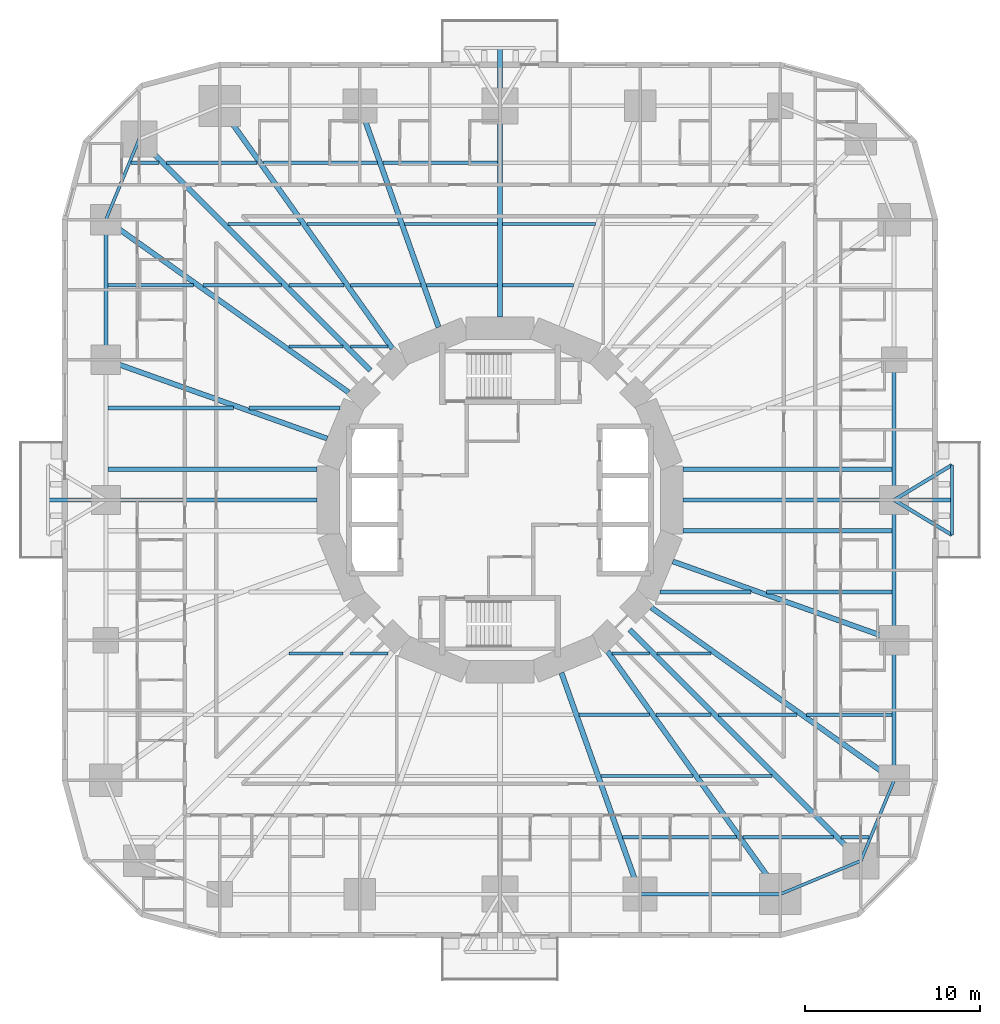
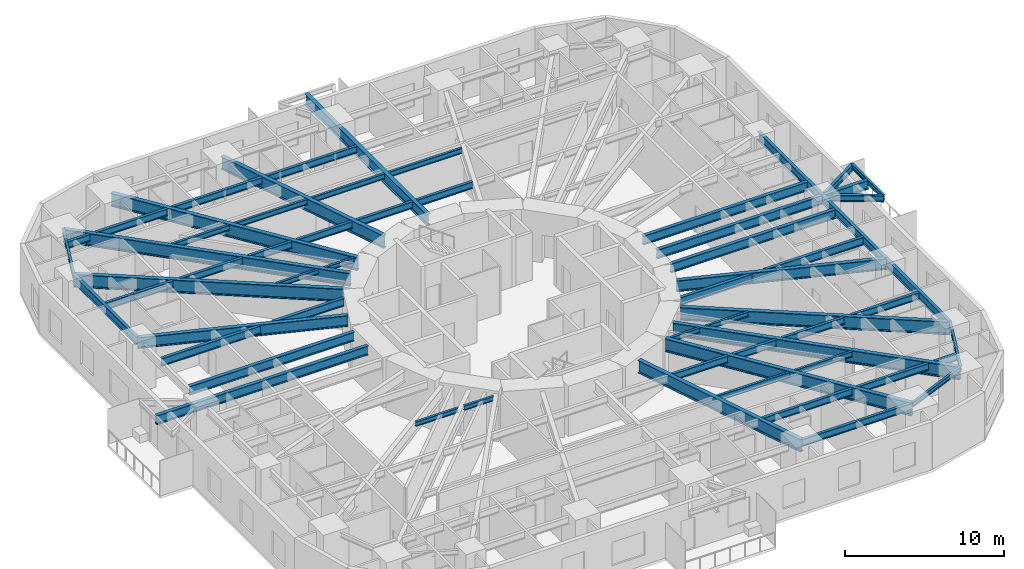
# One storey, part 2 of 14: 60 beams.
"""IFC4 building model written with IfcOpenShell, lengths in metres."""

import ifcopenshell
import ifcopenshell.guid

model = None  # the IFC model being written
_history = None  # IfcOwnerHistory: only IFC2X3 demands one
_inside = {}  # id of a spatial element -> (the spatial element, [elements in it])
_under = {}  # id of a project, library or spatial element -> (it, [spatial elements below it])
_declared = {}  # id of a project -> (the project, [libraries it declares])
_typed = {}  # id of a type object -> (the type object, [elements of that type])
_made_of = {}  # id of a material, layer set ... -> (it, [elements and type objects made of it])


def new_model(schema):
    """Start an empty IFC model of exactly this schema.

    Asked for "IFC4X3", IfcOpenShell would pick the latest addendum, in which some entities
    have other attributes; the version numbers below select the first issue.
    IFC2X3 requires an IfcOwnerHistory on every rooted entity: one is made here for all.
    """
    global model, _history
    if schema == "IFC4X3":
        model = ifcopenshell.file(schema_version=(4, 3, 0, 0))
    else:
        model = ifcopenshell.file(schema=schema)
    _inside.clear()
    _under.clear()
    _declared.clear()
    _typed.clear()
    _made_of.clear()
    _history = None
    if model.schema == "IFC2X3":
        org = make("IfcOrganization", Name="unknown")
        user = make(
            "IfcPersonAndOrganization",
            ThePerson=make("IfcPerson", FamilyName="unknown"),
            TheOrganization=org,
        )
        app = make(
            "IfcApplication",
            ApplicationDeveloper=org,
            Version="unknown",
            ApplicationFullName="unknown",
            ApplicationIdentifier="unknown",
        )
        _history = make(
            "IfcOwnerHistory",
            OwningUser=user,
            OwningApplication=app,
            ChangeAction="ADDED",
            CreationDate=0,
        )
    return model


def make(cls, **values):
    """One entity of the class cls with the attributes given. An attribute that is None is left unset."""
    return model.create_entity(
        cls, **{name: value for name, value in values.items() if value is not None}
    )


def rooted(cls, **values):
    """An entity with a GlobalId (a new one), such as an element, a storey or a relation."""
    return make(cls, GlobalId=ifcopenshell.guid.new(), OwnerHistory=_history, **values)


def si_unit(unit_type, name, prefix=None):
    """IfcSIUnit, for example si_unit("LENGTHUNIT", "METRE", prefix="MILLI")."""
    return make("IfcSIUnit", UnitType=unit_type, Prefix=prefix, Name=name)


def assignment(units):
    """IfcUnitAssignment: the units of a project."""
    return None if units is None else make("IfcUnitAssignment", Units=units)


def point(xyz):
    """IfcCartesianPoint."""
    return None if xyz is None else make("IfcCartesianPoint", Coordinates=xyz)


def direction(xyz):
    """IfcDirection."""
    return None if xyz is None else make("IfcDirection", DirectionRatios=xyz)


def frame(location, z_axis=None, x_axis=None):
    """IfcAxis2Placement3D, a coordinate frame: its origin and axes. An axis left out is left unset."""
    return make(
        "IfcAxis2Placement3D",
        Location=point(location),
        Axis=direction(z_axis),
        RefDirection=direction(x_axis),
    )


def frame_2d(location, x_axis=None):
    """IfcAxis2Placement2D, a coordinate frame in the plane: its origin and x axis."""
    return make(
        "IfcAxis2Placement2D", Location=point(location), RefDirection=direction(x_axis)
    )


def origin():
    """The frame at (0, 0, 0) with its axes left unset."""
    return frame((0.0, 0.0, 0.0))


def origin_2d():
    """The frame at (0, 0) in the plane with its x axis left unset."""
    return frame_2d((0.0, 0.0))


def place(relative_to, where):
    """IfcLocalPlacement: puts the frame where relative to a parent placement (None: the world)."""
    return make(
        "IfcLocalPlacement", PlacementRelTo=relative_to, RelativePlacement=where
    )


def context(
    kind, dimensions, precision=None, world=None, true_north=None, identifier=None
):
    """IfcGeometricRepresentationContext, for example the 3D "Model" context."""
    return make(
        "IfcGeometricRepresentationContext",
        ContextIdentifier=identifier,
        ContextType=kind,
        CoordinateSpaceDimension=dimensions,
        Precision=precision,
        WorldCoordinateSystem=world,
        TrueNorth=true_north,
    )


def subcontext(parent, identifier, kind, view, scale=None):
    """IfcGeometricRepresentationSubContext, for example "Body" below "Model"."""
    return make(
        "IfcGeometricRepresentationSubContext",
        ContextIdentifier=identifier,
        ContextType=kind,
        ParentContext=parent,
        TargetScale=scale,
        TargetView=view,
    )


def project(units=None, contexts=None):
    """IfcProject with its units and contexts."""
    return rooted(
        "IfcProject",
        Name="project",
        RepresentationContexts=contexts,
        UnitsInContext=assignment(units),
    )


def spatial(cls, under=None, at=None, **own):
    """A site, building, storey or space (cls), placed at a placement, below another one or the project."""
    s = rooted(cls, ObjectPlacement=at, **own)
    if under is not None:
        _under.setdefault(under.id(), (under, []))[1].append(s)
    return s


def profile(cls, at=None, kind="AREA", **sizes):
    """A parametric profile (cls). Its sizes go by their IFC names, for example OverallWidth=200.0."""
    return make(cls, ProfileType=kind, Position=at, **sizes)


def i_section(**sizes):
    """IfcIShapeProfileDef."""
    return profile("IfcIShapeProfileDef", **sizes)


def extrude(swept, where, along, depth):
    """IfcExtrudedAreaSolid: the profile swept, set in the frame where, extruded along a direction by depth."""
    return make(
        "IfcExtrudedAreaSolid",
        SweptArea=swept,
        Position=where,
        ExtrudedDirection=direction(along),
        Depth=depth,
    )


def shape(context_of_items, identifier, shape_type, items):
    """IfcShapeRepresentation: the items that make up one representation, for example the "Body"."""
    return make(
        "IfcShapeRepresentation",
        ContextOfItems=context_of_items,
        RepresentationIdentifier=identifier,
        RepresentationType=shape_type,
        Items=items,
    )


def material(Name=None, Category=None):
    """IfcMaterial."""
    return make("IfcMaterial", Name=Name, Category=Category)


def material_profile(
    of_material, cross_section, Name=None, Category=None, Priority=None
):
    """IfcMaterialProfile: a cross section and its material."""
    return make(
        "IfcMaterialProfile",
        Name=Name,
        Material=of_material,
        Profile=cross_section,
        Priority=Priority,
        Category=Category,
    )


def profile_set(profiles, Name=None, composite=None):
    """IfcMaterialProfileSet."""
    return make(
        "IfcMaterialProfileSet",
        Name=Name,
        MaterialProfiles=profiles,
        CompositeProfile=composite,
    )


def made_of(thing, what):
    """Note that an element or type object is made of a material, layer set ...; save() writes the relation."""
    if what is not None:
        _made_of.setdefault(what.id(), (what, []))[1].append(thing)
    return thing


def type_object(cls, material=None, **own):
    """A type object (cls), such as IfcWallType, which elements share."""
    return made_of(rooted(cls, **own), material)


def element(
    cls,
    number,
    at=None,
    inside=None,
    cuts=None,
    type_object=None,
    material=None,
    context=None,
    identifier="Body",
    shape_type=None,
    held_by="IfcProductDefinitionShape",
    body=None,
    shapes=None,
    **own,
):
    """One element of the class cls, such as IfcWall. Its Tag is "e" and its number.

    at: its placement. inside: the storey or other place that contains it. cuts: it is an
    opening in that element (IfcRelVoidsElement). A single representation is given by context,
    identifier, shape_type and body (its items); several are given by shapes. held_by: the class
    of the entity that holds the representations. save() writes the other relations.
    """
    e = rooted(cls, Tag="e%d" % number, ObjectPlacement=at, **own)
    if body is not None:
        shapes = [shape(context, identifier, shape_type, body)]
    if shapes is not None:
        e.Representation = make(held_by, Representations=shapes)
    if inside is not None:
        _inside.setdefault(inside.id(), (inside, []))[1].append(e)
    if cuts is not None:
        rooted(
            "IfcRelVoidsElement", RelatingBuildingElement=cuts, RelatedOpeningElement=e
        )
    if type_object is not None:
        _typed.setdefault(type_object.id(), (type_object, []))[1].append(e)
    return made_of(e, material)


def aggregate(whole, parts):
    """IfcRelAggregates: a whole, such as a stair, and the parts it consists of."""
    return rooted("IfcRelAggregates", RelatingObject=whole, RelatedObjects=parts)


def save(model, path):
    """Write the relations noted so far, then the file.

    IfcRelAggregates (storeys below a building ...), IfcRelContainedInSpatialStructure (elements
    in a storey), IfcRelDefinesByType, IfcRelAssociatesMaterial and IfcRelDeclares: one each for
    every whole, place, type object, material and project.
    """
    for whole, parts in _under.values():
        aggregate(whole, parts)
    for where, things in _inside.values():
        rooted(
            "IfcRelContainedInSpatialStructure",
            RelatedElements=things,
            RelatingStructure=where,
        )
    for kind, things in _typed.values():
        rooted("IfcRelDefinesByType", RelatedObjects=things, RelatingType=kind)
    for what, things in _made_of.values():
        rooted("IfcRelAssociatesMaterial", RelatedObjects=things, RelatingMaterial=what)
    for by, libraries in _declared.values():
        rooted("IfcRelDeclares", RelatingContext=by, RelatedDefinitions=libraries)
    model.write(path)


model = new_model("IFC4")

# Units and contexts
model_context = context("Model", 3, precision=1e-05, world=origin(), true_north=direction((0.0, 1.0)))
body_context = subcontext(model_context, "Body", "Model", "MODEL_VIEW")
ifc_project = project(units=[si_unit("LENGTHUNIT", "METRE"), si_unit("AREAUNIT", "SQUARE_METRE"), si_unit("VOLUMEUNIT", "CUBIC_METRE"), si_unit("PLANEANGLEUNIT", "RADIAN"), si_unit("MASSUNIT", "GRAM", prefix="KILO")], contexts=[model_context])

# Site, building, storey
site_placement = place(None, origin())
site = spatial("IfcSite", under=ifc_project, at=site_placement, CompositionType="ELEMENT")
building_placement = place(site_placement, origin())
building = spatial("IfcBuilding", under=site, at=building_placement, Name="Nakasero Lantern House", CompositionType="ELEMENT")
storey_placement = place(building_placement, frame((0.0, 0.0, 42.949951171875)))
storey = spatial("IfcBuildingStorey", under=building, at=storey_placement, Name="L10", CompositionType="ELEMENT", Elevation=42.949951171875)

# Beams
ifc_material_1 = material(Name="Steel S355", Category="steel")
ifc_material_profile_1 = material_profile(ifc_material_1, i_section(OverallWidth=0.199462890625, OverallDepth=0.491943359375, WebThickness=0.01806640625, FlangeThickness=0.031982421875, FilletRadius=0.01025390625, at=origin_2d()), Name="UB 457x191x161")
ifc_profile_set_1 = profile_set([ifc_material_profile_1], Name="Steel S355")
beam_type_1 = type_object("IfcBeamType", Name="Balcony splay beam UB 457x191x161", PredefinedType="BEAM", material=ifc_profile_set_1)
for number, where, z_axis, x_axis, name in (
    (1, (22.5, 0.0, 3.404052734375), (0.855201230787, 0.518296107317, 0.0), (-0.518296107317, 0.855201230787, 0.0), "Balcony splay beam L11 B1-C03A"),
    (2, (22.5, 0.0, 3.404052734375), (0.855201230787, -0.518296107317, 0.0), (0.518296107317, 0.855201230787, 0.0), "Balcony splay beam L11 B1-C03B"),
):
    element("IfcBeam", number, at=place(storey_placement, frame(where, z_axis=z_axis, x_axis=x_axis)), inside=storey, type_object=beam_type_1, Name=name, PredefinedType="BEAM", context=body_context, shape_type="SweptSolid", body=[
        extrude(i_section(OverallWidth=0.199462890625, OverallDepth=0.491943359375, WebThickness=0.01806640625, FlangeThickness=0.031982421875, FilletRadius=0.01025390625, at=origin_2d()), origin(), (0.0, 0.0, 1.0), 3.85888671875),
    ])
ifc_material_2 = material(Name="Steel S355", Category="steel")
ifc_material_profile_2 = material_profile(ifc_material_2, i_section(OverallWidth=0.17138671875, OverallDepth=0.35498046875, WebThickness=0.00732421875, FlangeThickness=0.011474609375, FilletRadius=0.01025390625, at=origin_2d()), Name="UB 356x171x51")
ifc_profile_set_2 = profile_set([ifc_material_profile_2], Name="Steel S355")
beam_type_2 = type_object("IfcBeamType", Name="Balcony tie beam UB 356x171x51", PredefinedType="BEAM", material=ifc_profile_set_2)
beam_1_placement = place(storey_placement, frame((25.800048828125, 2.0, 3.47265625), z_axis=(0.0, -1.0, 0.0), x_axis=(1.0, 0.0, 0.0)))
element("IfcBeam", 3, at=beam_1_placement, inside=storey, type_object=beam_type_2, Name="Balcony tie beam L11 B1-C03", PredefinedType="BEAM", context=body_context, shape_type="SweptSolid", body=[
    extrude(i_section(OverallWidth=0.17138671875, OverallDepth=0.35498046875, WebThickness=0.00732421875, FlangeThickness=0.011474609375, FilletRadius=0.01025390625, at=origin_2d()), origin(), (0.0, 0.0, 1.0), 4.0),
])
ifc_material_3 = material(Name="Steel S355", Category="steel")
ifc_material_profile_3 = material_profile(ifc_material_3, i_section(OverallWidth=0.17138671875, OverallDepth=0.35498046875, WebThickness=0.00732421875, FlangeThickness=0.011474609375, FilletRadius=0.01025390625, at=origin_2d()), Name="UB 356x171x51")
ifc_profile_set_3 = profile_set([ifc_material_profile_3], Name="Steel S355")
beam_type_3 = type_object("IfcBeamType", Name="Infill beam UB 356x171x51", PredefinedType="JOIST", material=ifc_profile_set_3)
beam_2_placement = place(storey_placement, frame((-12.0458984375, -8.75, 3.47265625), z_axis=(1.0, 0.0, 0.0), x_axis=(0.0, 1.0, 0.0)))
element("IfcBeam", 4, at=beam_2_placement, inside=storey, type_object=beam_type_3, Name="Infill beam L11 05.1", PredefinedType="JOIST", context=body_context, shape_type="SweptSolid", body=[
    extrude(i_section(OverallWidth=0.17138671875, OverallDepth=0.35498046875, WebThickness=0.00732421875, FlangeThickness=0.011474609375, FilletRadius=0.01025390625, at=origin_2d()), origin(), (0.0, 0.0, 1.0), 3.083740234375),
])
for number, where, z_axis, x_axis, name in (
    (5, (-8.537841796875, -8.75, 3.47265625), (1.0, 0.0, 0.0), (0.0, 1.0, 0.0), "Infill beam L11 05.2"),
    (6, (6.40625, -8.75, 3.47265625), (1.0, 0.0, 0.0), (0.0, 1.0, 0.0), "Infill beam L11 05.3"),
):
    element("IfcBeam", number, at=place(storey_placement, frame(where, z_axis=z_axis, x_axis=x_axis)), inside=storey, type_object=beam_type_3, Name=name, PredefinedType="JOIST", context=body_context, shape_type="SweptSolid", body=[
        extrude(i_section(OverallWidth=0.17138671875, OverallDepth=0.35498046875, WebThickness=0.00732421875, FlangeThickness=0.011474609375, FilletRadius=0.01025390625, at=origin_2d()), origin(), (0.0, 0.0, 1.0), 2.131591796875),
    ])
for number, where, z_axis, x_axis, name in (
    (7, (8.962158203125, -8.75, 3.47265625), (1.0, 0.0, 0.0), (0.0, 1.0, 0.0), "Infill beam L11 05.4"),
    (8, (-12.0458984375, 8.75, 3.47265625), (1.0, 0.0, 0.0), (0.0, 1.0, 0.0), "Infill beam L11 10.1"),
):
    element("IfcBeam", number, at=place(storey_placement, frame(where, z_axis=z_axis, x_axis=x_axis)), inside=storey, type_object=beam_type_3, Name=name, PredefinedType="JOIST", context=body_context, shape_type="SweptSolid", body=[
        extrude(i_section(OverallWidth=0.17138671875, OverallDepth=0.35498046875, WebThickness=0.00732421875, FlangeThickness=0.011474609375, FilletRadius=0.01025390625, at=origin_2d()), origin(), (0.0, 0.0, 1.0), 3.083740234375),
    ])
beam_3_placement = place(storey_placement, frame((-8.537841796875, 8.75, 3.47265625), z_axis=(1.0, 0.0, 0.0), x_axis=(0.0, 1.0, 0.0)))
element("IfcBeam", 9, at=beam_3_placement, inside=storey, type_object=beam_type_3, Name="Infill beam L11 10.2", PredefinedType="JOIST", context=body_context, shape_type="SweptSolid", body=[
    extrude(i_section(OverallWidth=0.17138671875, OverallDepth=0.35498046875, WebThickness=0.00732421875, FlangeThickness=0.011474609375, FilletRadius=0.01025390625, at=origin_2d()), origin(), (0.0, 0.0, 1.0), 2.131591796875),
])
ifc_material_4 = material(Name="Steel S355", Category="steel")
ifc_material_profile_4 = material_profile(ifc_material_4, i_section(OverallWidth=0.177978515625, OverallDepth=0.406494140625, WebThickness=0.0078125, FlangeThickness=0.0126953125, FilletRadius=0.01025390625, at=origin_2d()), Name="UB 406x178x60")
ifc_profile_set_4 = profile_set([ifc_material_profile_4], Name="Steel S355")
beam_type_4 = type_object("IfcBeamType", Name="Infill beam UB 406x178x60", PredefinedType="JOIST", material=ifc_profile_set_4)
beam_4_placement = place(storey_placement, frame((5.75927734375, -15.75, 3.44677734375), z_axis=(1.0, 0.0, 0.0), x_axis=(0.0, 1.0, 0.0)))
element("IfcBeam", 10, at=beam_4_placement, inside=storey, type_object=beam_type_4, Name="Infill beam L11 03.5", PredefinedType="JOIST", context=body_context, shape_type="SweptSolid", body=[
    extrude(i_section(OverallWidth=0.177978515625, OverallDepth=0.406494140625, WebThickness=0.0078125, FlangeThickness=0.0126953125, FilletRadius=0.01025390625, at=origin_2d()), origin(), (0.0, 0.0, 1.0), 5.256591796875),
])
for number, where, z_axis, x_axis, name in (
    (11, (11.384033203125, -15.75, 3.44677734375), (1.0, 0.0, 0.0), (0.0, 1.0, 0.0), "Infill beam L11 03.6"),
    (12, (-15.537841796875, 15.75, 3.44677734375), (1.0, 0.0, 0.0), (0.0, 1.0, 0.0), "Infill beam L11 12.1"),
):
    element("IfcBeam", number, at=place(storey_placement, frame(where, z_axis=z_axis, x_axis=x_axis)), inside=storey, type_object=beam_type_4, Name=name, PredefinedType="JOIST", context=body_context, shape_type="SweptSolid", body=[
        extrude(i_section(OverallWidth=0.177978515625, OverallDepth=0.406494140625, WebThickness=0.0078125, FlangeThickness=0.0126953125, FilletRadius=0.01025390625, at=origin_2d()), origin(), (0.0, 0.0, 1.0), 4.15380859375),
    ])
beam_5_placement = place(storey_placement, frame((-11.015869140625, 15.75, 3.44677734375), z_axis=(1.0, 0.0, 0.0), x_axis=(0.0, 1.0, 0.0)))
element("IfcBeam", 13, at=beam_5_placement, inside=storey, type_object=beam_type_4, Name="Infill beam L11 12.2", PredefinedType="JOIST", context=body_context, shape_type="SweptSolid", body=[
    extrude(i_section(OverallWidth=0.177978515625, OverallDepth=0.406494140625, WebThickness=0.0078125, FlangeThickness=0.0126953125, FilletRadius=0.01025390625, at=origin_2d()), origin(), (0.0, 0.0, 1.0), 5.256591796875),
])
for number, where, z_axis, x_axis, name in (
    (14, (-5.44091796875, 15.75, 3.44677734375), (1.0, 0.0, 0.0), (0.0, 1.0, 0.0), "Infill beam L11 12.3"),
    (15, (0.146240234375, 15.75, 3.44677734375), (1.0, 0.0, 0.0), (0.0, 1.0, 0.0), "Infill beam L11 12.4"),
):
    element("IfcBeam", number, at=place(storey_placement, frame(where, z_axis=z_axis, x_axis=x_axis)), inside=storey, type_object=beam_type_4, Name=name, PredefinedType="JOIST", context=body_context, shape_type="SweptSolid", body=[
        extrude(i_section(OverallWidth=0.177978515625, OverallDepth=0.406494140625, WebThickness=0.0078125, FlangeThickness=0.0126953125, FilletRadius=0.01025390625, at=origin_2d()), origin(), (0.0, 0.0, 1.0), 5.294677734375),
    ])
ifc_material_5 = material(Name="Steel S355", Category="steel")
ifc_material_profile_5 = material_profile(ifc_material_5, i_section(OverallWidth=0.208740234375, OverallDepth=0.5283203125, WebThickness=0.009521484375, FlangeThickness=0.01318359375, FilletRadius=0.0126953125, at=origin_2d()), Name="UB 533x210x82")
ifc_profile_set_5 = profile_set([ifc_material_profile_5], Name="Steel S355")
beam_type_5 = type_object("IfcBeamType", Name="Infill beam UB 533x210x82", PredefinedType="JOIST", material=ifc_profile_set_5)
beam_6_placement = place(storey_placement, frame((7.003662109375, -19.25, 3.385986328125), z_axis=(1.0, 0.0, 0.0), x_axis=(0.0, 1.0, 0.0)))
element("IfcBeam", 16, at=beam_6_placement, inside=storey, type_object=beam_type_5, Name="Infill beam L11 02.6", PredefinedType="JOIST", context=body_context, shape_type="SweptSolid", body=[
    extrude(i_section(OverallWidth=0.208740234375, OverallDepth=0.5283203125, WebThickness=0.009521484375, FlangeThickness=0.01318359375, FilletRadius=0.0126953125, at=origin_2d()), origin(), (0.0, 0.0, 1.0), 6.501220703125),
])
beam_7_placement = place(storey_placement, frame((13.873046875, -19.25, 3.385986328125), z_axis=(1.0, 0.0, 0.0), x_axis=(0.0, 1.0, 0.0)))
element("IfcBeam", 17, at=beam_7_placement, inside=storey, type_object=beam_type_5, Name="Infill beam L11 02.7", PredefinedType="JOIST", context=body_context, shape_type="SweptSolid", body=[
    extrude(i_section(OverallWidth=0.208740234375, OverallDepth=0.5283203125, WebThickness=0.009521484375, FlangeThickness=0.01318359375, FilletRadius=0.0126953125, at=origin_2d()), origin(), (0.0, 0.0, 1.0), 5.164794921875),
])
beam_8_placement = place(storey_placement, frame((19.462158203125, -19.25, 3.385986328125), z_axis=(1.0, 0.0, 0.0), x_axis=(0.0, 1.0, 0.0)))
element("IfcBeam", 18, at=beam_8_placement, inside=storey, type_object=beam_type_5, Name="Infill beam L11 02.8", PredefinedType="JOIST", context=body_context, shape_type="SweptSolid", body=[
    extrude(i_section(OverallWidth=0.208740234375, OverallDepth=0.5283203125, WebThickness=0.009521484375, FlangeThickness=0.01318359375, FilletRadius=0.0126953125, at=origin_2d()), origin(), (0.0, 0.0, 1.0), 1.598876953125),
])
beam_9_placement = place(storey_placement, frame((4.5146484375, -12.25, 3.385986328125), z_axis=(1.0, 0.0, 0.0), x_axis=(0.0, 1.0, 0.0)))
element("IfcBeam", 19, at=beam_9_placement, inside=storey, type_object=beam_type_5, Name="Infill beam L11 04.7", PredefinedType="JOIST", context=body_context, shape_type="SweptSolid", body=[
    extrude(i_section(OverallWidth=0.208740234375, OverallDepth=0.5283203125, WebThickness=0.009521484375, FlangeThickness=0.01318359375, FilletRadius=0.0126953125, at=origin_2d()), origin(), (0.0, 0.0, 1.0), 4.012451171875),
])
beam_10_placement = place(storey_placement, frame((8.895263671875, -12.25, 3.385986328125), z_axis=(1.0, 0.0, 0.0), x_axis=(0.0, 1.0, 0.0)))
element("IfcBeam", 20, at=beam_10_placement, inside=storey, type_object=beam_type_5, Name="Infill beam L11 04.8", PredefinedType="JOIST", context=body_context, shape_type="SweptSolid", body=[
    extrude(i_section(OverallWidth=0.208740234375, OverallDepth=0.5283203125, WebThickness=0.009521484375, FlangeThickness=0.01318359375, FilletRadius=0.0126953125, at=origin_2d()), origin(), (0.0, 0.0, 1.0), 3.142578125),
])
beam_11_placement = place(storey_placement, frame((12.462158203125, -12.25, 3.385986328125), z_axis=(1.0, 0.0, 0.0), x_axis=(0.0, 1.0, 0.0)))
element("IfcBeam", 21, at=beam_11_placement, inside=storey, type_object=beam_type_5, Name="Infill beam L11 04.9", PredefinedType="JOIST", context=body_context, shape_type="SweptSolid", body=[
    extrude(i_section(OverallWidth=0.208740234375, OverallDepth=0.5283203125, WebThickness=0.009521484375, FlangeThickness=0.01318359375, FilletRadius=0.0126953125, at=origin_2d()), origin(), (0.0, 0.0, 1.0), 4.505615234375),
])
for number, where, z_axis, x_axis, name in (
    (22, (17.4853515625, -12.25, 3.385986328125), (1.0, 0.0, 0.0), (0.0, 1.0, 0.0), "Infill beam L11 04.10"),
    (23, (-22.385498046875, 12.25, 3.385986328125), (1.0, 0.0, 0.0), (0.0, 1.0, 0.0), "Infill beam L11 11.1"),
):
    element("IfcBeam", number, at=place(storey_placement, frame(where, z_axis=z_axis, x_axis=x_axis)), inside=storey, type_object=beam_type_5, Name=name, PredefinedType="JOIST", context=body_context, shape_type="SweptSolid", body=[
        extrude(i_section(OverallWidth=0.208740234375, OverallDepth=0.5283203125, WebThickness=0.009521484375, FlangeThickness=0.01318359375, FilletRadius=0.0126953125, at=origin_2d()), origin(), (0.0, 0.0, 1.0), 4.900146484375),
    ])
beam_12_placement = place(storey_placement, frame((-16.9677734375, 12.25, 3.385986328125), z_axis=(1.0, 0.0, 0.0), x_axis=(0.0, 1.0, 0.0)))
element("IfcBeam", 24, at=beam_12_placement, inside=storey, type_object=beam_type_5, Name="Infill beam L11 11.2", PredefinedType="JOIST", context=body_context, shape_type="SweptSolid", body=[
    extrude(i_section(OverallWidth=0.208740234375, OverallDepth=0.5283203125, WebThickness=0.009521484375, FlangeThickness=0.01318359375, FilletRadius=0.0126953125, at=origin_2d()), origin(), (0.0, 0.0, 1.0), 4.505615234375),
])
beam_13_placement = place(storey_placement, frame((-12.037841796875, 12.25, 3.385986328125), z_axis=(1.0, 0.0, 0.0), x_axis=(0.0, 1.0, 0.0)))
element("IfcBeam", 25, at=beam_13_placement, inside=storey, type_object=beam_type_5, Name="Infill beam L11 11.3", PredefinedType="JOIST", context=body_context, shape_type="SweptSolid", body=[
    extrude(i_section(OverallWidth=0.208740234375, OverallDepth=0.5283203125, WebThickness=0.009521484375, FlangeThickness=0.01318359375, FilletRadius=0.0126953125, at=origin_2d()), origin(), (0.0, 0.0, 1.0), 3.142578125),
])
beam_14_placement = place(storey_placement, frame((-8.527099609375, 12.25, 3.385986328125), z_axis=(1.0, 0.0, 0.0), x_axis=(0.0, 1.0, 0.0)))
element("IfcBeam", 26, at=beam_14_placement, inside=storey, type_object=beam_type_5, Name="Infill beam L11 11.4", PredefinedType="JOIST", context=body_context, shape_type="SweptSolid", body=[
    extrude(i_section(OverallWidth=0.208740234375, OverallDepth=0.5283203125, WebThickness=0.009521484375, FlangeThickness=0.01318359375, FilletRadius=0.0126953125, at=origin_2d()), origin(), (0.0, 0.0, 1.0), 4.012451171875),
])
for number, where, z_axis, x_axis, name in (
    (27, (-4.1962890625, 12.25, 3.385986328125), (1.0, 0.0, 0.0), (0.0, 1.0, 0.0), "Infill beam L11 11.5"),
    (28, (0.146240234375, 12.25, 3.385986328125), (1.0, 0.0, 0.0), (0.0, 1.0, 0.0), "Infill beam L11 11.6"),
):
    element("IfcBeam", number, at=place(storey_placement, frame(where, z_axis=z_axis, x_axis=x_axis)), inside=storey, type_object=beam_type_5, Name=name, PredefinedType="JOIST", context=body_context, shape_type="SweptSolid", body=[
        extrude(i_section(OverallWidth=0.208740234375, OverallDepth=0.5283203125, WebThickness=0.009521484375, FlangeThickness=0.01318359375, FilletRadius=0.0126953125, at=origin_2d()), origin(), (0.0, 0.0, 1.0), 4.050048828125),
    ])
beam_15_placement = place(storey_placement, frame((-21.06103515625, 19.25, 3.385986328125), z_axis=(1.0, 0.0, 0.0), x_axis=(0.0, 1.0, 0.0)))
element("IfcBeam", 29, at=beam_15_placement, inside=storey, type_object=beam_type_5, Name="Infill beam L11 13.1", PredefinedType="JOIST", context=body_context, shape_type="SweptSolid", body=[
    extrude(i_section(OverallWidth=0.208740234375, OverallDepth=0.5283203125, WebThickness=0.009521484375, FlangeThickness=0.01318359375, FilletRadius=0.0126953125, at=origin_2d()), origin(), (0.0, 0.0, 1.0), 1.598876953125),
])
beam_16_placement = place(storey_placement, frame((-19.037841796875, 19.25, 3.385986328125), z_axis=(1.0, 0.0, 0.0), x_axis=(0.0, 1.0, 0.0)))
element("IfcBeam", 30, at=beam_16_placement, inside=storey, type_object=beam_type_5, Name="Infill beam L11 13.2", PredefinedType="JOIST", context=body_context, shape_type="SweptSolid", body=[
    extrude(i_section(OverallWidth=0.208740234375, OverallDepth=0.5283203125, WebThickness=0.009521484375, FlangeThickness=0.01318359375, FilletRadius=0.0126953125, at=origin_2d()), origin(), (0.0, 0.0, 1.0), 5.164794921875),
])
beam_17_placement = place(storey_placement, frame((-13.5048828125, 19.25, 3.385986328125), z_axis=(1.0, 0.0, 0.0), x_axis=(0.0, 1.0, 0.0)))
element("IfcBeam", 31, at=beam_17_placement, inside=storey, type_object=beam_type_5, Name="Infill beam L11 13.3", PredefinedType="JOIST", context=body_context, shape_type="SweptSolid", body=[
    extrude(i_section(OverallWidth=0.208740234375, OverallDepth=0.5283203125, WebThickness=0.009521484375, FlangeThickness=0.01318359375, FilletRadius=0.0126953125, at=origin_2d()), origin(), (0.0, 0.0, 1.0), 6.501220703125),
])
beam_18_placement = place(storey_placement, frame((-6.685302734375, 19.25, 3.385986328125), z_axis=(1.0, 0.0, 0.0), x_axis=(0.0, 1.0, 0.0)))
element("IfcBeam", 32, at=beam_18_placement, inside=storey, type_object=beam_type_5, Name="Infill beam L11 13.4", PredefinedType="JOIST", context=body_context, shape_type="SweptSolid", body=[
    extrude(i_section(OverallWidth=0.208740234375, OverallDepth=0.5283203125, WebThickness=0.009521484375, FlangeThickness=0.01318359375, FilletRadius=0.0126953125, at=origin_2d()), origin(), (0.0, 0.0, 1.0), 6.5390625),
])
ifc_material_6 = material(Name="Steel S355", Category="steel")
ifc_material_profile_6 = material_profile(ifc_material_6, i_section(OverallWidth=0.2275390625, OverallDepth=0.6025390625, WebThickness=0.010498046875, FlangeThickness=0.014892578125, FilletRadius=0.0126953125, at=origin_2d()), Name="UB 610x229x101")
ifc_profile_set_6 = profile_set([ifc_material_profile_6], Name="Steel S355")
beam_type_6 = type_object("IfcBeamType", Name="Infill beam UB 610x229x101", PredefinedType="JOIST", material=ifc_profile_set_6)
beam_19_placement = place(storey_placement, frame((9.144775390625, -5.25, 3.3486328125), z_axis=(1.0, 0.0, 0.0), x_axis=(0.0, 1.0, 0.0)))
element("IfcBeam", 33, at=beam_19_placement, inside=storey, type_object=beam_type_6, Name="Infill beam L11 06.3", PredefinedType="JOIST", context=body_context, shape_type="SweptSolid", body=[
    extrude(i_section(OverallWidth=0.2275390625, OverallDepth=0.6025390625, WebThickness=0.010498046875, FlangeThickness=0.014892578125, FilletRadius=0.0126953125, at=origin_2d()), origin(), (0.0, 0.0, 1.0), 5.184326171875),
])
for number, where, z_axis, x_axis, name in (
    (34, (15.2021484375, -5.25, 3.3486328125), (1.0, 0.0, 0.0), (0.0, 1.0, 0.0), "Infill beam L11 06.4"),
    (35, (-22.385498046875, 5.25, 3.3486328125), (1.0, 0.0, 0.0), (0.0, 1.0, 0.0), "Infill beam L11 09.1"),
):
    element("IfcBeam", number, at=place(storey_placement, frame(where, z_axis=z_axis, x_axis=x_axis)), inside=storey, type_object=beam_type_6, Name=name, PredefinedType="JOIST", context=body_context, shape_type="SweptSolid", body=[
        extrude(i_section(OverallWidth=0.2275390625, OverallDepth=0.6025390625, WebThickness=0.010498046875, FlangeThickness=0.014892578125, FilletRadius=0.0126953125, at=origin_2d()), origin(), (0.0, 0.0, 1.0), 7.183349609375),
    ])
beam_20_placement = place(storey_placement, frame((-14.3291015625, 5.25, 3.3486328125), z_axis=(1.0, 0.0, 0.0), x_axis=(0.0, 1.0, 0.0)))
element("IfcBeam", 36, at=beam_20_placement, inside=storey, type_object=beam_type_6, Name="Infill beam L11 09.2", PredefinedType="JOIST", context=body_context, shape_type="SweptSolid", body=[
    extrude(i_section(OverallWidth=0.2275390625, OverallDepth=0.6025390625, WebThickness=0.010498046875, FlangeThickness=0.014892578125, FilletRadius=0.0126953125, at=origin_2d()), origin(), (0.0, 0.0, 1.0), 5.184326171875),
])
ifc_material_7 = material(Name="Steel S355", Category="steel")
ifc_material_profile_7 = material_profile(ifc_material_7, i_section(OverallWidth=0.253662109375, OverallDepth=0.68359375, WebThickness=0.012451171875, FlangeThickness=0.01904296875, FilletRadius=0.01513671875, at=origin_2d()), Name="UB 686x254x140")
ifc_profile_set_7 = profile_set([ifc_material_profile_7], Name="Steel S355")
beam_type_7 = type_object("IfcBeamType", Name="Infill beam UB 686x254x140", PredefinedType="JOIST", material=ifc_profile_set_7)
for number, where, z_axis, x_axis, name in (
    (37, (10.457763671875, -1.75, 3.308349609375), (1.0, 0.0, 0.0), (0.0, 1.0, 0.0), "Infill beam L11 07.2"),
    (38, (-22.385498046875, 1.75, 3.308349609375), (1.0, 0.0, 0.0), (0.0, 1.0, 0.0), "Infill beam L11 08.1"),
    (39, (10.457763671875, 1.75, 3.308349609375), (1.0, 0.0, 0.0), (0.0, 1.0, 0.0), "Infill beam L11 08.2"),
):
    element("IfcBeam", number, at=place(storey_placement, frame(where, z_axis=z_axis, x_axis=x_axis)), inside=storey, type_object=beam_type_7, Name=name, PredefinedType="JOIST", context=body_context, shape_type="SweptSolid", body=[
        extrude(i_section(OverallWidth=0.253662109375, OverallDepth=0.68359375, WebThickness=0.012451171875, FlangeThickness=0.01904296875, FilletRadius=0.01513671875, at=origin_2d()), origin(), (0.0, 0.0, 1.0), 11.927734375),
    ])
ifc_material_8 = material(Name="Steel S355", Category="steel")
ifc_material_profile_8 = material_profile(ifc_material_8, i_section(OverallWidth=0.300048828125, OverallDepth=0.97021484375, WebThickness=0.01611328125, FlangeThickness=0.02099609375, FilletRadius=0.030029296875, at=origin_2d()), Name="UB 1016x305x222")
ifc_profile_set_8 = profile_set([ifc_material_profile_8], Name="Steel S355")
beam_type_8 = type_object("IfcBeamType", Name="Primary beam UB 1016x305x222, span 12 to 15 m", PredefinedType="BEAM", material=ifc_profile_set_8)
for number, where, z_axis, x_axis, name in (
    (40, (-8.0, 22.5, 3.164794921875), (0.335010745293, -0.942214307118, 0.0), (0.942214307118, 0.335010745293, 0.0), "Primary beam L11 B1-C10"),
    (41, (8.0, -22.5, 3.164794921875), (-0.335010745293, 0.942214307118, 0.0), (-0.942214307118, -0.335010745293, 0.0), "Primary beam L11 B1-C22"),
):
    element("IfcBeam", number, at=place(storey_placement, frame(where, z_axis=z_axis, x_axis=x_axis)), inside=storey, type_object=beam_type_8, Name=name, PredefinedType="BEAM", context=body_context, shape_type="SweptSolid", body=[
        extrude(i_section(OverallWidth=0.300048828125, OverallDepth=0.97021484375, WebThickness=0.01611328125, FlangeThickness=0.02099609375, FilletRadius=0.030029296875, at=origin_2d()), origin(), (0.0, 0.0, 1.0), 13.408447265625),
    ])
ifc_material_9 = material(Name="Steel S355", Category="steel")
ifc_material_profile_9 = material_profile(ifc_material_9, i_section(OverallWidth=0.300048828125, OverallDepth=0.989990234375, WebThickness=0.0166015625, FlangeThickness=0.031005859375, FilletRadius=0.030029296875, at=origin_2d()), Name="UB 1016x305x272")
ifc_profile_set_9 = profile_set([ifc_material_profile_9], Name="Steel S355")
beam_type_9 = type_object("IfcBeamType", Name="Primary beam UB 1016x305x272, span over 15 m", PredefinedType="BEAM", material=ifc_profile_set_9)
beam_21_placement = place(storey_placement, frame((22.5, -16.0, 3.155029296875), z_axis=(-0.814952159915, 0.579528236629, 0.0), x_axis=(-0.579528236629, -0.814952159915, 0.0)))
element("IfcBeam", 42, at=beam_21_placement, inside=storey, type_object=beam_type_9, Name="Primary beam L11 B1-C01", PredefinedType="BEAM", context=body_context, shape_type="SweptSolid", body=[
    extrude(i_section(OverallWidth=0.300048828125, OverallDepth=0.989990234375, WebThickness=0.0166015625, FlangeThickness=0.031005859375, FilletRadius=0.030029296875, at=origin_2d()), origin(), (0.0, 0.0, 1.0), 17.003173828125),
])
beam_22_placement = place(storey_placement, frame((-20.59619140625, 20.59619140625, 3.155029296875), z_axis=(0.707106781187, -0.707106781187, 0.0), x_axis=(0.707106781187, 0.707106781187, 0.0)))
element("IfcBeam", 43, at=beam_22_placement, inside=storey, type_object=beam_type_9, Name="Primary beam L11 B1-C12", PredefinedType="BEAM", context=body_context, shape_type="SweptSolid", body=[
    extrude(i_section(OverallWidth=0.300048828125, OverallDepth=0.989990234375, WebThickness=0.0166015625, FlangeThickness=0.031005859375, FilletRadius=0.030029296875, at=origin_2d()), origin(), (0.0, 0.0, 1.0), 18.669677734375),
])
beam_23_placement = place(storey_placement, frame((-22.5, 16.0, 3.155029296875), z_axis=(0.814952159915, -0.579528236629, 0.0), x_axis=(0.579528236629, 0.814952159915, 0.0)))
element("IfcBeam", 44, at=beam_23_placement, inside=storey, type_object=beam_type_9, Name="Primary beam L11 B1-C13", PredefinedType="BEAM", context=body_context, shape_type="SweptSolid", body=[
    extrude(i_section(OverallWidth=0.300048828125, OverallDepth=0.989990234375, WebThickness=0.0166015625, FlangeThickness=0.031005859375, FilletRadius=0.030029296875, at=origin_2d()), origin(), (0.0, 0.0, 1.0), 17.003173828125),
])
beam_24_placement = place(storey_placement, frame((20.59619140625, -20.59619140625, 3.155029296875), z_axis=(-0.707106781187, 0.707106781187, 0.0), x_axis=(-0.707106781187, -0.707106781187, 0.0)))
element("IfcBeam", 45, at=beam_24_placement, inside=storey, type_object=beam_type_9, Name="Primary beam L11 B1-C24", PredefinedType="BEAM", context=body_context, shape_type="SweptSolid", body=[
    extrude(i_section(OverallWidth=0.300048828125, OverallDepth=0.989990234375, WebThickness=0.0166015625, FlangeThickness=0.031005859375, FilletRadius=0.030029296875, at=origin_2d()), origin(), (0.0, 0.0, 1.0), 18.669677734375),
])
ifc_material_10 = material(Name="Steel S355", Category="steel")
ifc_material_profile_10 = material_profile(ifc_material_10, i_section(OverallWidth=0.300048828125, OverallDepth=1.0, WebThickness=0.01904296875, FlangeThickness=0.035888671875, FilletRadius=0.030029296875, at=origin_2d()), Name="UB 1016x305x314")
ifc_profile_set_10 = profile_set([ifc_material_profile_10], Name="Steel S355")
beam_type_10 = type_object("IfcBeamType", Name="Primary beam UB 1016x305x314, span over 15 m", PredefinedType="BEAM", material=ifc_profile_set_10)
for number, where, z_axis, x_axis, name in (
    (46, (-16.0, 22.5, 3.150146484375), (0.579528236629, -0.814952159915, 0.0), (0.814952159915, 0.579528236629, 0.0), "Primary beam L11 B1-C11"),
    (47, (16.0, -22.5, 3.150146484375), (-0.579528236629, 0.814952159915, 0.0), (-0.814952159915, -0.579528236629, 0.0), "Primary beam L11 B1-C23"),
):
    element("IfcBeam", number, at=place(storey_placement, frame(where, z_axis=z_axis, x_axis=x_axis)), inside=storey, type_object=beam_type_10, Name=name, PredefinedType="BEAM", context=body_context, shape_type="SweptSolid", body=[
        extrude(i_section(OverallWidth=0.300048828125, OverallDepth=1.0, WebThickness=0.01904296875, FlangeThickness=0.035888671875, FilletRadius=0.030029296875, at=origin_2d()), origin(), (0.0, 0.0, 1.0), 17.003173828125),
    ])
ifc_material_11 = material(Name="Steel S355", Category="steel")
ifc_material_profile_11 = material_profile(ifc_material_11, i_section(OverallWidth=0.255859375, OverallDepth=0.69287109375, WebThickness=0.014404296875, FlangeThickness=0.023681640625, FilletRadius=0.01513671875, at=origin_2d()), Name="UB 686x254x170")
ifc_profile_set_11 = profile_set([ifc_material_profile_11], Name="Steel S355")
beam_type_11 = type_object("IfcBeamType", Name="Primary beam UB 686x254x170, span 12 to 15 m", PredefinedType="BEAM", material=ifc_profile_set_11)
for number, where, z_axis, x_axis, name in (
    (48, (25.800048828125, 0.0, 3.3037109375), (-1.0, 0.0, 0.0), (0.0, -1.0, 0.0), "Primary beam L11 B1-C03"),
    (49, (-25.800048828125, 0.0, 3.3037109375), (1.0, 0.0, 0.0), (0.0, 1.0, 0.0), "Primary beam L11 B1-C15"),
):
    element("IfcBeam", number, at=place(storey_placement, frame(where, z_axis=z_axis, x_axis=x_axis)), inside=storey, type_object=beam_type_11, Name=name, PredefinedType="BEAM", context=body_context, shape_type="SweptSolid", body=[
        extrude(i_section(OverallWidth=0.255859375, OverallDepth=0.69287109375, WebThickness=0.014404296875, FlangeThickness=0.023681640625, FilletRadius=0.01513671875, at=origin_2d()), origin(), (0.0, 0.0, 1.0), 15.34228515625),
    ])
ifc_material_12 = material(Name="Steel S355", Category="steel")
ifc_material_profile_12 = material_profile(ifc_material_12, i_section(OverallWidth=0.29248046875, OverallDepth=0.8408203125, WebThickness=0.0146484375, FlangeThickness=0.02685546875, FilletRadius=0.017822265625, at=origin_2d()), Name="UB 838x292x194")
ifc_profile_set_12 = profile_set([ifc_material_profile_12], Name="Steel S355")
beam_type_12 = type_object("IfcBeamType", Name="Primary beam UB 838x292x194, span 12 to 15 m", PredefinedType="BEAM", material=ifc_profile_set_12)
beam_25_placement = place(storey_placement, frame((22.5, -8.0, 3.229736328125), z_axis=(-0.942214307118, 0.335010745293, 0.0), x_axis=(-0.335010745293, -0.942214307118, 0.0)))
element("IfcBeam", 50, at=beam_25_placement, inside=storey, type_object=beam_type_12, Name="Primary beam L11 B1-C02", PredefinedType="BEAM", context=body_context, shape_type="SweptSolid", body=[
    extrude(i_section(OverallWidth=0.29248046875, OverallDepth=0.8408203125, WebThickness=0.0146484375, FlangeThickness=0.02685546875, FilletRadius=0.017822265625, at=origin_2d()), origin(), (0.0, 0.0, 1.0), 13.408447265625),
])
beam_26_placement = place(storey_placement, frame((0.0, 25.800048828125, 3.229736328125), z_axis=(0.0, -1.0, 0.0), x_axis=(1.0, 0.0, 0.0)))
element("IfcBeam", 51, at=beam_26_placement, inside=storey, type_object=beam_type_12, Name="Primary beam L11 B1-C09", PredefinedType="BEAM", context=body_context, shape_type="SweptSolid", body=[
    extrude(i_section(OverallWidth=0.29248046875, OverallDepth=0.8408203125, WebThickness=0.0146484375, FlangeThickness=0.02685546875, FilletRadius=0.017822265625, at=origin_2d()), origin(), (0.0, 0.0, 1.0), 15.34228515625),
])
beam_27_placement = place(storey_placement, frame((-22.5, 8.0, 3.229736328125), z_axis=(0.942214307118, -0.335010745293, 0.0), x_axis=(0.335010745293, 0.942214307118, 0.0)))
element("IfcBeam", 52, at=beam_27_placement, inside=storey, type_object=beam_type_12, Name="Primary beam L11 B1-C14", PredefinedType="BEAM", context=body_context, shape_type="SweptSolid", body=[
    extrude(i_section(OverallWidth=0.29248046875, OverallDepth=0.8408203125, WebThickness=0.0146484375, FlangeThickness=0.02685546875, FilletRadius=0.017822265625, at=origin_2d()), origin(), (0.0, 0.0, 1.0), 13.408447265625),
])
ifc_material_13 = material(Name="Steel S355", Category="steel")
ifc_material_profile_13 = material_profile(ifc_material_13, i_section(OverallWidth=0.17138671875, OverallDepth=0.35498046875, WebThickness=0.00732421875, FlangeThickness=0.011474609375, FilletRadius=0.01025390625, at=origin_2d()), Name="UB 356x171x51")
ifc_profile_set_13 = profile_set([ifc_material_profile_13], Name="Steel S355")
beam_type_13 = type_object("IfcBeamType", Name="Ring beam UB 356x171x51", PredefinedType="BEAM", material=ifc_profile_set_13)
for number, where, z_axis, x_axis, name in (
    (53, (-20.59619140625, 20.59619140625, 3.47265625), (-0.382684080569, -0.923879264016, 0.0), (0.923879264016, -0.382684080569, 0.0), "Ring beam L11 B1-C12"),
    (54, (16.0, -22.5, 3.47265625), (0.923879264016, 0.382684080569, 0.0), (-0.382684080569, 0.923879264016, 0.0), "Ring beam L11 B1-C23"),
    (55, (20.59619140625, -20.59619140625, 3.47265625), (0.382684080569, 0.923879264016, 0.0), (-0.923879264016, 0.382684080569, 0.0), "Ring beam L11 B1-C24"),
):
    element("IfcBeam", number, at=place(storey_placement, frame(where, z_axis=z_axis, x_axis=x_axis)), inside=storey, type_object=beam_type_13, Name=name, PredefinedType="BEAM", context=body_context, shape_type="SweptSolid", body=[
        extrude(i_section(OverallWidth=0.17138671875, OverallDepth=0.35498046875, WebThickness=0.00732421875, FlangeThickness=0.011474609375, FilletRadius=0.01025390625, at=origin_2d()), origin(), (0.0, 0.0, 1.0), 4.974853515625),
    ])
ifc_material_14 = material(Name="Steel S355", Category="steel")
ifc_material_profile_14 = material_profile(ifc_material_14, i_section(OverallWidth=0.2099609375, OverallDepth=0.53662109375, WebThickness=0.0107421875, FlangeThickness=0.017333984375, FilletRadius=0.0126953125, at=origin_2d()), Name="UB 533x210x101")
ifc_profile_set_14 = profile_set([ifc_material_profile_14], Name="Steel S355")
beam_type_14 = type_object("IfcBeamType", Name="Ring beam UB 533x210x101", PredefinedType="BEAM", material=ifc_profile_set_14)
beam_28_placement = place(storey_placement, frame((8.0, -22.5, 3.381591796875), z_axis=(1.0, 0.0, 0.0), x_axis=(0.0, 1.0, 0.0)))
element("IfcBeam", 56, at=beam_28_placement, inside=storey, type_object=beam_type_14, Name="Ring beam L11 B1-C22", PredefinedType="BEAM", context=body_context, shape_type="SweptSolid", body=[
    extrude(i_section(OverallWidth=0.2099609375, OverallDepth=0.53662109375, WebThickness=0.0107421875, FlangeThickness=0.017333984375, FilletRadius=0.0126953125, at=origin_2d()), origin(), (0.0, 0.0, 1.0), 8.0),
])
ifc_material_15 = material(Name="Steel S355", Category="steel")
ifc_material_profile_15 = material_profile(ifc_material_15, i_section(OverallWidth=0.22900390625, OverallDepth=0.6123046875, WebThickness=0.011962890625, FlangeThickness=0.01953125, FilletRadius=0.0126953125, at=origin_2d()), Name="UB 610x229x125")
ifc_profile_set_15 = profile_set([ifc_material_profile_15], Name="Steel S355")
beam_type_15 = type_object("IfcBeamType", Name="Ring beam UB 610x229x125", PredefinedType="BEAM", material=ifc_profile_set_15)
for number, where, z_axis, x_axis, name in (
    (57, (22.5, -16.0, 3.343994140625), (0.0, 1.0, 0.0), (-1.0, 0.0, 0.0), "Ring beam L11 B1-C01"),
    (58, (22.5, -8.0, 3.343994140625), (0.0, 1.0, 0.0), (-1.0, 0.0, 0.0), "Ring beam L11 B1-C02"),
    (59, (22.5, 0.0, 3.343994140625), (0.0, 1.0, 0.0), (-1.0, 0.0, 0.0), "Ring beam L11 B1-C03"),
    (60, (-22.5, 16.0, 3.343994140625), (0.0, -1.0, 0.0), (1.0, 0.0, 0.0), "Ring beam L11 B1-C13"),
):
    element("IfcBeam", number, at=place(storey_placement, frame(where, z_axis=z_axis, x_axis=x_axis)), inside=storey, type_object=beam_type_15, Name=name, PredefinedType="BEAM", context=body_context, shape_type="SweptSolid", body=[
        extrude(i_section(OverallWidth=0.22900390625, OverallDepth=0.6123046875, WebThickness=0.011962890625, FlangeThickness=0.01953125, FilletRadius=0.0126953125, at=origin_2d()), origin(), (0.0, 0.0, 1.0), 8.0),
    ])

save(model, "model.ifc")
